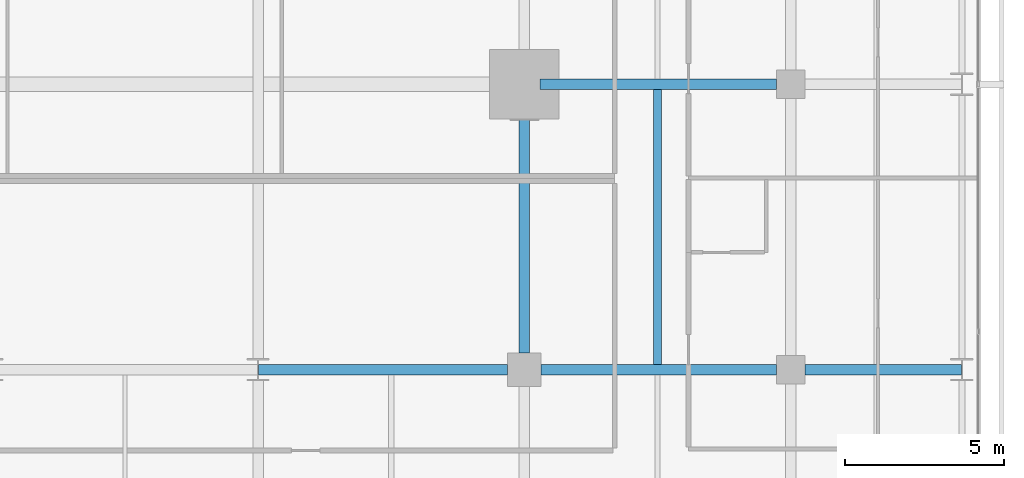
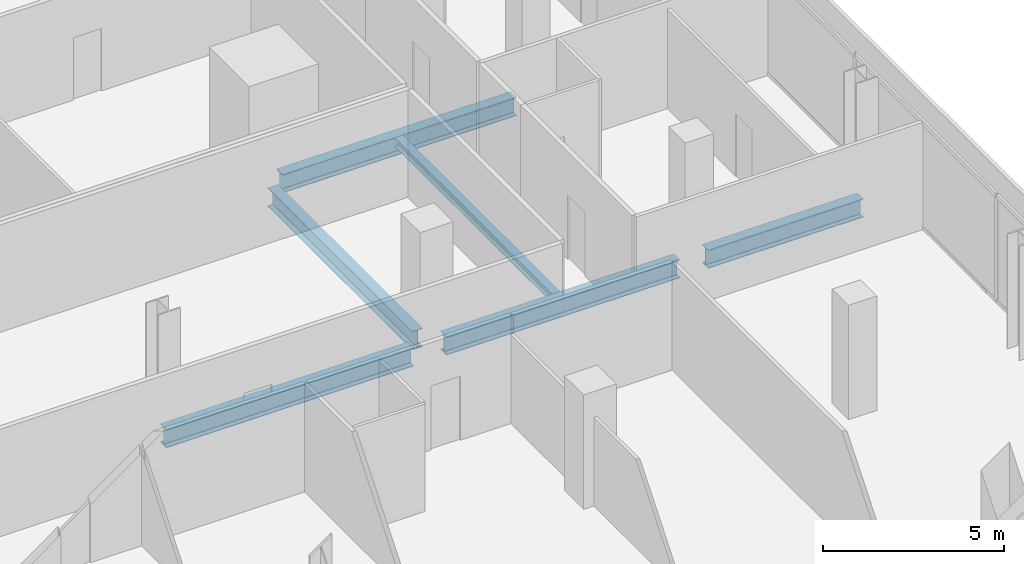
# One storey, part 18 of 39: 6 beams.
"""IFC4 building model written with IfcOpenShell, lengths in metres."""

from ifc_helpers import new_model, si_unit, direction, frame, origin, origin_2d, place, context, subcontext, project, spatial, i_section, extrude, material, material_profile, profile_set, type_object, element, save


model = new_model("IFC4")

# Units and contexts
model_context = context("Model", 3, precision=1e-05, world=origin(), true_north=direction((0.0, 1.0)))
body_context = subcontext(model_context, "Body", "Model", "MODEL_VIEW")
ifc_project = project(units=[si_unit("LENGTHUNIT", "METRE"), si_unit("AREAUNIT", "SQUARE_METRE"), si_unit("VOLUMEUNIT", "CUBIC_METRE"), si_unit("PLANEANGLEUNIT", "RADIAN"), si_unit("MASSUNIT", "GRAM", prefix="KILO")], contexts=[model_context])

# Site, building, storey
site_placement = place(None, origin())
site = spatial("IfcSite", under=ifc_project, at=site_placement, CompositionType="ELEMENT")
building_placement = place(site_placement, origin())
building = spatial("IfcBuilding", under=site, at=building_placement, Name="Maruvema Waterfront Hotel and Observation Tower", CompositionType="ELEMENT")
storey_placement = place(building_placement, frame((0.0, 0.0, 65.449951171875)))
storey = spatial("IfcBuildingStorey", under=building, at=storey_placement, Name="L15", CompositionType="ELEMENT", Elevation=65.449951171875)

# Beams
ifc_material_1 = material(Name="Steel ASTM A572 Grade 50", Category="steel")
ifc_material_profile_1 = material_profile(ifc_material_1, i_section(OverallWidth=0.326904296875, OverallDepth=0.6220703125, WebThickness=0.015380859375, FlangeThickness=0.0244140625, FilletRadius=0.01806640625, at=origin_2d()), Name="W610x195.0")
ifc_profile_set_1 = profile_set([ifc_material_profile_1], Name="Steel ASTM A572 Grade 50")
beam_type_1 = type_object("IfcBeamType", Name="Primary Floor Girder W610x195.0", PredefinedType="BEAM", material=ifc_profile_set_1)
beam_1_placement = place(storey_placement, frame((42.013916015625, 18.0, -0.551025390625), z_axis=(1.0, 0.0, 0.0), x_axis=(0.0, 1.0, 0.0)))
element("IfcBeam", 1, at=beam_1_placement, inside=storey, type_object=beam_type_1, Name="L15 Floor Girder EW-17", PredefinedType="BEAM", context=body_context, shape_type="SweptSolid", body=[
    extrude(i_section(OverallWidth=0.326904296875, OverallDepth=0.6220703125, WebThickness=0.015380859375, FlangeThickness=0.0244140625, FilletRadius=0.01806640625, at=origin_2d()), origin(), (0.0, 0.0, 1.0), 7.861083984375),
])
beam_2_placement = place(storey_placement, frame((50.925048828125, 18.0, -0.551025390625), z_axis=(1.0, 0.0, 0.0), x_axis=(0.0, 1.0, 0.0)))
element("IfcBeam", 2, at=beam_2_placement, inside=storey, type_object=beam_type_1, Name="L15 Floor Girder EW-18", PredefinedType="BEAM", context=body_context, shape_type="SweptSolid", body=[
    extrude(i_section(OverallWidth=0.326904296875, OverallDepth=0.6220703125, WebThickness=0.015380859375, FlangeThickness=0.0244140625, FilletRadius=0.01806640625, at=origin_2d()), origin(), (0.0, 0.0, 1.0), 7.425048828125),
])
beam_3_placement = place(storey_placement, frame((59.25, 18.0, -0.551025390625), z_axis=(1.0, 0.0, 0.0), x_axis=(0.0, 1.0, 0.0)))
element("IfcBeam", 3, at=beam_3_placement, inside=storey, type_object=beam_type_1, Name="L15 Floor Girder EW-19", PredefinedType="BEAM", context=body_context, shape_type="SweptSolid", body=[
    extrude(i_section(OverallWidth=0.326904296875, OverallDepth=0.6220703125, WebThickness=0.015380859375, FlangeThickness=0.0244140625, FilletRadius=0.01806640625, at=origin_2d()), origin(), (0.0, 0.0, 1.0), 4.93603515625),
])
beam_4_placement = place(storey_placement, frame((50.89990234375, 27.0, -0.551025390625), z_axis=(1.0, 0.0, 0.0), x_axis=(0.0, 1.0, 0.0)))
element("IfcBeam", 4, at=beam_4_placement, inside=storey, type_object=beam_type_1, Name="L15 Floor Girder EW-23", PredefinedType="BEAM", context=body_context, shape_type="SweptSolid", body=[
    extrude(i_section(OverallWidth=0.326904296875, OverallDepth=0.6220703125, WebThickness=0.015380859375, FlangeThickness=0.0244140625, FilletRadius=0.01806640625, at=origin_2d()), origin(), (0.0, 0.0, 1.0), 7.4501953125),
])
beam_5_placement = place(storey_placement, frame((50.39990234375, 18.52490234375, -0.551025390625), z_axis=(0.0, 1.0, 0.0), x_axis=(-1.0, 0.0, 0.0)))
element("IfcBeam", 5, at=beam_5_placement, inside=storey, type_object=beam_type_1, Name="L15 Floor Girder NS-24", PredefinedType="BEAM", context=body_context, shape_type="SweptSolid", body=[
    extrude(i_section(OverallWidth=0.326904296875, OverallDepth=0.6220703125, WebThickness=0.015380859375, FlangeThickness=0.0244140625, FilletRadius=0.01806640625, at=origin_2d()), origin(), (0.0, 0.0, 1.0), 7.97509765625),
])
ifc_material_2 = material(Name="Steel ASTM A572 Grade 50", Category="steel")
ifc_material_profile_2 = material_profile(ifc_material_2, i_section(OverallWidth=0.25390625, OverallDepth=0.305908203125, WebThickness=0.0087890625, FlangeThickness=0.0146484375, FilletRadius=0.014892578125, at=origin_2d()), Name="W310x79.0")
ifc_profile_set_2 = profile_set([ifc_material_profile_2], Name="Steel ASTM A572 Grade 50")
beam_type_2 = type_object("IfcBeamType", Name="Secondary Floor Joist W310x79.0", PredefinedType="JOIST", material=ifc_profile_set_2)
beam_6_placement = place(storey_placement, frame((54.60009765625, 18.16357421875, -0.39306640625), z_axis=(0.0, 1.0, 0.0), x_axis=(-1.0, 0.0, 0.0)))
element("IfcBeam", 6, at=beam_6_placement, inside=storey, type_object=beam_type_2, Name="L15 Secondary Floor Joist JS-18", PredefinedType="JOIST", context=body_context, shape_type="SweptSolid", body=[
    extrude(i_section(OverallWidth=0.25390625, OverallDepth=0.305908203125, WebThickness=0.0087890625, FlangeThickness=0.0146484375, FilletRadius=0.014892578125, at=origin_2d()), origin(), (0.0, 0.0, 1.0), 8.6728515625),
])

save(model, "model.ifc")
